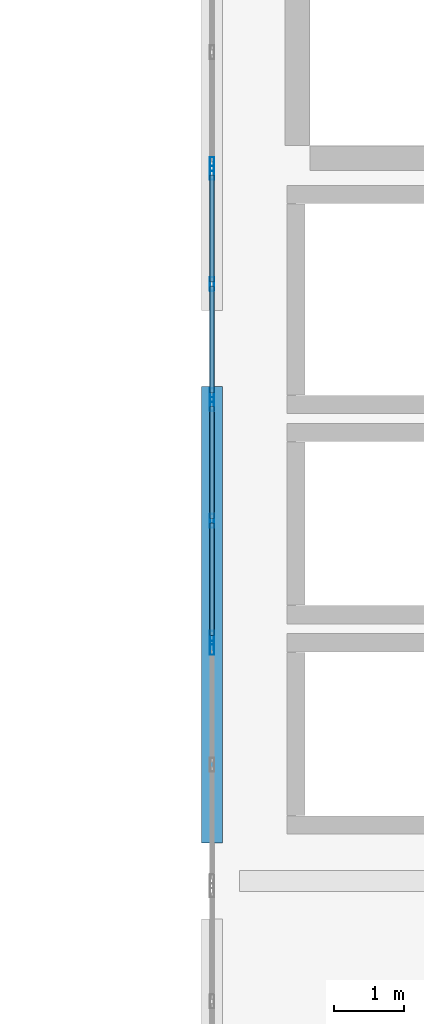
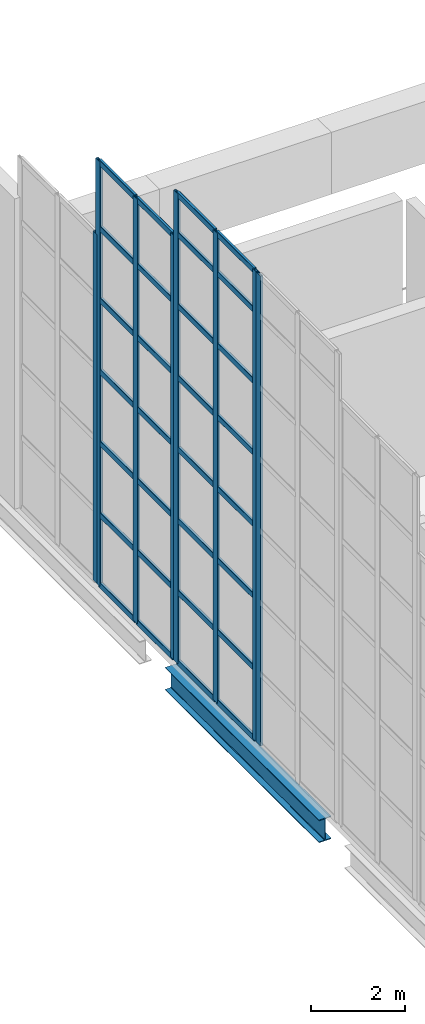
# One storey, part 14 of 37: 38 members, 1 beam, 4 elements without a shape of their own.
"""IFC4 building model written with IfcOpenShell, lengths in metres."""

from ifc_helpers import new_model, si_unit, direction, frame, origin, origin_2d, place, context, subcontext, project, spatial, hollow_rectangle, i_section, extrude, material, material_profile, profile_set, type_object, element, aggregate, save


model = new_model("IFC4")

# Units and contexts
model_context = context("Model", 3, precision=1e-05, world=origin(), true_north=direction((0.0, 1.0)))
body_context = subcontext(model_context, "Body", "Model", "MODEL_VIEW")
ifc_project = project(units=[si_unit("LENGTHUNIT", "METRE"), si_unit("AREAUNIT", "SQUARE_METRE"), si_unit("VOLUMEUNIT", "CUBIC_METRE"), si_unit("PLANEANGLEUNIT", "RADIAN"), si_unit("MASSUNIT", "GRAM", prefix="KILO")], contexts=[model_context])

# Site, building, storey
site_placement = place(None, origin())
site = spatial("IfcSite", under=ifc_project, at=site_placement, CompositionType="ELEMENT")
building_placement = place(site_placement, origin())
building = spatial("IfcBuilding", under=site, at=building_placement, Name="Shengluoqiao Park Theatre", CompositionType="ELEMENT")
storey_placement = place(building_placement, frame((0.0, 0.0, 19.199951171875)))
storey = spatial("IfcBuildingStorey", under=building, at=storey_placement, Name="L04", CompositionType="ELEMENT", Elevation=19.199951171875)

# Curtain wall, member
ifc_material_1 = material(Name="Aluminium 6063-T6", Category="aluminium")
curtain_wall_type = type_object("IfcCurtainWallType", Name="ENV-CW-CLERE", PredefinedType="NOTDEFINED", material=ifc_material_1)
curtain_wall_1_placement = place(storey_placement, origin())
curtain_wall_1 = element("IfcCurtainWall", 1, at=curtain_wall_1_placement, inside=storey, type_object=curtain_wall_type, Name="L04 Curtain Wall CW-L04-GABLE-0224", PredefinedType="NOTDEFINED")
ifc_material_profile_1 = material_profile(ifc_material_1, hollow_rectangle(XDim=0.06494140625, YDim=0.199951171875, WallThickness=0.0048828125, InnerFilletRadius=0.0048828125, OuterFilletRadius=0.010009765625, at=origin_2d()), Name="ALU MULLION 200x65x5")
ifc_profile_set_1 = profile_set([ifc_material_profile_1], Name="Aluminium 6063-T6")
member_type_1 = type_object("IfcMemberType", Name="ENV-MUL-200", PredefinedType="MULLION", material=ifc_profile_set_1)
member_1_placement = place(storey_placement, frame((44.39990234375, 94.927490234375, 0.0), z_axis=(0.0, 0.0, 1.0), x_axis=(-1.0, 0.0, 0.0)))
member_1 = element("IfcMember", 2, at=member_1_placement, type_object=member_type_1, Name="CW-06 mullion 3", PredefinedType="MULLION", context=body_context, shape_type="SweptSolid", body=[
    extrude(hollow_rectangle(XDim=0.06494140625, YDim=0.199951171875, WallThickness=0.0048828125, InnerFilletRadius=0.0048828125, OuterFilletRadius=0.010009765625, at=origin_2d()), origin(), (0.0, 0.0, 1.0), 12.14697265625),
])
aggregate(curtain_wall_1, [member_1])

# Curtain wall, members
curtain_wall_2_placement = place(storey_placement, origin())
curtain_wall_2 = element("IfcCurtainWall", 3, at=curtain_wall_2_placement, inside=storey, type_object=curtain_wall_type, Name="L04 Curtain Wall CW-L04-GABLE-0225", PredefinedType="NOTDEFINED")
member_2_placement = place(storey_placement, frame((44.39990234375, 95.072509765625, 0.0), z_axis=(0.0, 0.0, 1.0), x_axis=(-1.0, 0.0, 0.0)))
member_2 = element("IfcMember", 4, at=member_2_placement, type_object=member_type_1, Name="CW-06 mullion 1", PredefinedType="MULLION", context=body_context, shape_type="SweptSolid", body=[
    extrude(hollow_rectangle(XDim=0.06494140625, YDim=0.199951171875, WallThickness=0.0048828125, InnerFilletRadius=0.0048828125, OuterFilletRadius=0.010009765625, at=origin_2d()), origin(), (0.0, 0.0, 1.0), 12.14697265625),
])
member_3_placement = place(storey_placement, frame((44.39990234375, 96.739990234375, 0.0), z_axis=(0.0, 0.0, 1.0), x_axis=(-1.0, 0.0, 0.0)))
member_3 = element("IfcMember", 5, at=member_3_placement, type_object=member_type_1, Name="CW-06 mullion 2", PredefinedType="MULLION", context=body_context, shape_type="SweptSolid", body=[
    extrude(hollow_rectangle(XDim=0.06494140625, YDim=0.199951171875, WallThickness=0.0048828125, InnerFilletRadius=0.0048828125, OuterFilletRadius=0.010009765625, at=origin_2d()), origin(), (0.0, 0.0, 1.0), 12.14697265625),
])
member_4_placement = place(storey_placement, frame((44.39990234375, 98.407470703125, 0.0), z_axis=(0.0, 0.0, 1.0), x_axis=(-1.0, 0.0, 0.0)))
member_4 = element("IfcMember", 6, at=member_4_placement, type_object=member_type_1, Name="CW-06 mullion 3", PredefinedType="MULLION", context=body_context, shape_type="SweptSolid", body=[
    extrude(hollow_rectangle(XDim=0.06494140625, YDim=0.199951171875, WallThickness=0.0048828125, InnerFilletRadius=0.0048828125, OuterFilletRadius=0.010009765625, at=origin_2d()), origin(), (0.0, 0.0, 1.0), 12.14697265625),
])

curtain_wall_3_placement = place(storey_placement, origin())
curtain_wall_3 = element("IfcCurtainWall", 7, at=curtain_wall_3_placement, inside=storey, type_object=curtain_wall_type, Name="L04 Curtain Wall CW-L04-GABLE-0226", PredefinedType="NOTDEFINED")
member_5_placement = place(storey_placement, frame((44.39990234375, 98.532470703125, 0.0), z_axis=(0.0, 0.0, 1.0), x_axis=(-1.0, 0.0, 0.0)))
member_5 = element("IfcMember", 8, at=member_5_placement, type_object=member_type_1, Name="CW-06 mullion 1", PredefinedType="MULLION", context=body_context, shape_type="SweptSolid", body=[
    extrude(hollow_rectangle(XDim=0.06494140625, YDim=0.199951171875, WallThickness=0.0048828125, InnerFilletRadius=0.0048828125, OuterFilletRadius=0.010009765625, at=origin_2d()), origin(), (0.0, 0.0, 1.0), 10.974365234375),
])
member_6_placement = place(storey_placement, frame((44.39990234375, 100.1201171875, 0.0), z_axis=(0.0, 0.0, 1.0), x_axis=(-1.0, 0.0, 0.0)))
member_6 = element("IfcMember", 9, at=member_6_placement, type_object=member_type_1, Name="CW-06 mullion 2", PredefinedType="MULLION", context=body_context, shape_type="SweptSolid", body=[
    extrude(hollow_rectangle(XDim=0.06494140625, YDim=0.199951171875, WallThickness=0.0048828125, InnerFilletRadius=0.0048828125, OuterFilletRadius=0.010009765625, at=origin_2d()), origin(), (0.0, 0.0, 1.0), 10.974365234375),
])
member_7_placement = place(storey_placement, frame((44.39990234375, 101.70751953125, 0.0), z_axis=(0.0, 0.0, 1.0), x_axis=(-1.0, 0.0, 0.0)))
member_7 = element("IfcMember", 10, at=member_7_placement, type_object=member_type_1, Name="CW-06 mullion 3", PredefinedType="MULLION", context=body_context, shape_type="SweptSolid", body=[
    extrude(hollow_rectangle(XDim=0.06494140625, YDim=0.199951171875, WallThickness=0.0048828125, InnerFilletRadius=0.0048828125, OuterFilletRadius=0.010009765625, at=origin_2d()), origin(), (0.0, 0.0, 1.0), 10.974365234375),
])

# Curtain wall, member
curtain_wall_4_placement = place(storey_placement, origin())
curtain_wall_4 = element("IfcCurtainWall", 11, at=curtain_wall_4_placement, inside=storey, type_object=curtain_wall_type, Name="L04 Curtain Wall CW-L04-GABLE-0227", PredefinedType="NOTDEFINED")
member_8_placement = place(storey_placement, frame((44.39990234375, 101.83251953125, 0.0), z_axis=(0.0, 0.0, 1.0), x_axis=(-1.0, 0.0, 0.0)))
member_8 = element("IfcMember", 12, at=member_8_placement, type_object=member_type_1, Name="CW-06 mullion 1", PredefinedType="MULLION", context=body_context, shape_type="SweptSolid", body=[
    extrude(hollow_rectangle(XDim=0.06494140625, YDim=0.199951171875, WallThickness=0.0048828125, InnerFilletRadius=0.0048828125, OuterFilletRadius=0.010009765625, at=origin_2d()), origin(), (0.0, 0.0, 1.0), 9.02783203125),
])
aggregate(curtain_wall_4, [member_8])

# Member
ifc_material_profile_2 = material_profile(ifc_material_1, hollow_rectangle(XDim=0.06494140625, YDim=0.14990234375, WallThickness=0.00390625, InnerFilletRadius=0.00390625, OuterFilletRadius=0.008056640625, at=origin_2d()), Name="ALU TRANSOM 150x65x4")
ifc_profile_set_2 = profile_set([ifc_material_profile_2], Name="Aluminium 6063-T6")
member_type_2 = type_object("IfcMemberType", Name="ENV-TRN-150", PredefinedType="USERDEFINED", material=ifc_profile_set_2)
member_9_placement = place(storey_placement, frame((44.39990234375, 95.10498046875, 0.032470703125), z_axis=(0.0, 1.0, 0.0), x_axis=(-1.0, 0.0, 0.0)))
member_9 = element("IfcMember", 13, at=member_9_placement, type_object=member_type_2, Name="CW-06 transom 1.1", ObjectType="TRANSOM", PredefinedType="USERDEFINED", context=body_context, shape_type="SweptSolid", body=[
    extrude(hollow_rectangle(XDim=0.06494140625, YDim=0.14990234375, WallThickness=0.00390625, InnerFilletRadius=0.00390625, OuterFilletRadius=0.008056640625, at=origin_2d()), origin(), (0.0, 0.0, 1.0), 1.6025390625),
])

member_10_placement = place(storey_placement, frame((44.39990234375, 95.10498046875, 1.85009765625), z_axis=(0.0, 1.0, 0.0), x_axis=(-1.0, 0.0, 0.0)))
member_10 = element("IfcMember", 14, at=member_10_placement, type_object=member_type_2, Name="CW-06 transom 1.2", ObjectType="TRANSOM", PredefinedType="USERDEFINED", context=body_context, shape_type="SweptSolid", body=[
    extrude(hollow_rectangle(XDim=0.06494140625, YDim=0.14990234375, WallThickness=0.00390625, InnerFilletRadius=0.00390625, OuterFilletRadius=0.008056640625, at=origin_2d()), origin(), (0.0, 0.0, 1.0), 1.6025390625),
])

member_11_placement = place(storey_placement, frame((44.39990234375, 95.10498046875, 3.699951171875), z_axis=(0.0, 1.0, 0.0), x_axis=(-1.0, 0.0, 0.0)))
member_11 = element("IfcMember", 15, at=member_11_placement, type_object=member_type_2, Name="CW-06 transom 1.3", ObjectType="TRANSOM", PredefinedType="USERDEFINED", context=body_context, shape_type="SweptSolid", body=[
    extrude(hollow_rectangle(XDim=0.06494140625, YDim=0.14990234375, WallThickness=0.00390625, InnerFilletRadius=0.00390625, OuterFilletRadius=0.008056640625, at=origin_2d()), origin(), (0.0, 0.0, 1.0), 1.6025390625),
])

member_12_placement = place(storey_placement, frame((44.39990234375, 95.10498046875, 5.550048828125), z_axis=(0.0, 1.0, 0.0), x_axis=(-1.0, 0.0, 0.0)))
member_12 = element("IfcMember", 16, at=member_12_placement, type_object=member_type_2, Name="CW-06 transom 1.4", ObjectType="TRANSOM", PredefinedType="USERDEFINED", context=body_context, shape_type="SweptSolid", body=[
    extrude(hollow_rectangle(XDim=0.06494140625, YDim=0.14990234375, WallThickness=0.00390625, InnerFilletRadius=0.00390625, OuterFilletRadius=0.008056640625, at=origin_2d()), origin(), (0.0, 0.0, 1.0), 1.6025390625),
])

member_13_placement = place(storey_placement, frame((44.39990234375, 95.10498046875, 7.400146484375), z_axis=(0.0, 1.0, 0.0), x_axis=(-1.0, 0.0, 0.0)))
member_13 = element("IfcMember", 17, at=member_13_placement, type_object=member_type_2, Name="CW-06 transom 1.5", ObjectType="TRANSOM", PredefinedType="USERDEFINED", context=body_context, shape_type="SweptSolid", body=[
    extrude(hollow_rectangle(XDim=0.06494140625, YDim=0.14990234375, WallThickness=0.00390625, InnerFilletRadius=0.00390625, OuterFilletRadius=0.008056640625, at=origin_2d()), origin(), (0.0, 0.0, 1.0), 1.6025390625),
])

member_14_placement = place(storey_placement, frame((44.39990234375, 95.10498046875, 9.25), z_axis=(0.0, 1.0, 0.0), x_axis=(-1.0, 0.0, 0.0)))
member_14 = element("IfcMember", 18, at=member_14_placement, type_object=member_type_2, Name="CW-06 transom 1.6", ObjectType="TRANSOM", PredefinedType="USERDEFINED", context=body_context, shape_type="SweptSolid", body=[
    extrude(hollow_rectangle(XDim=0.06494140625, YDim=0.14990234375, WallThickness=0.00390625, InnerFilletRadius=0.00390625, OuterFilletRadius=0.008056640625, at=origin_2d()), origin(), (0.0, 0.0, 1.0), 1.6025390625),
])

member_15_placement = place(storey_placement, frame((44.39990234375, 95.10498046875, 11.10009765625), z_axis=(0.0, 1.0, 0.0), x_axis=(-1.0, 0.0, 0.0)))
member_15 = element("IfcMember", 19, at=member_15_placement, type_object=member_type_2, Name="CW-06 transom 1.7", ObjectType="TRANSOM", PredefinedType="USERDEFINED", context=body_context, shape_type="SweptSolid", body=[
    extrude(hollow_rectangle(XDim=0.06494140625, YDim=0.14990234375, WallThickness=0.00390625, InnerFilletRadius=0.00390625, OuterFilletRadius=0.008056640625, at=origin_2d()), origin(), (0.0, 0.0, 1.0), 1.6025390625),
])

member_16_placement = place(storey_placement, frame((44.39990234375, 95.10498046875, 12.114501953125), z_axis=(0.0, 1.0, 0.0), x_axis=(-1.0, 0.0, 0.0)))
member_16 = element("IfcMember", 20, at=member_16_placement, type_object=member_type_2, Name="CW-06 transom 1.8", ObjectType="TRANSOM", PredefinedType="USERDEFINED", context=body_context, shape_type="SweptSolid", body=[
    extrude(hollow_rectangle(XDim=0.06494140625, YDim=0.14990234375, WallThickness=0.00390625, InnerFilletRadius=0.00390625, OuterFilletRadius=0.008056640625, at=origin_2d()), origin(), (0.0, 0.0, 1.0), 1.6025390625),
])

member_17_placement = place(storey_placement, frame((44.39990234375, 96.7724609375, 0.032470703125), z_axis=(0.0, 1.0, 0.0), x_axis=(-1.0, 0.0, 0.0)))
member_17 = element("IfcMember", 21, at=member_17_placement, type_object=member_type_2, Name="CW-06 transom 2.1", ObjectType="TRANSOM", PredefinedType="USERDEFINED", context=body_context, shape_type="SweptSolid", body=[
    extrude(hollow_rectangle(XDim=0.06494140625, YDim=0.14990234375, WallThickness=0.00390625, InnerFilletRadius=0.00390625, OuterFilletRadius=0.008056640625, at=origin_2d()), origin(), (0.0, 0.0, 1.0), 1.6025390625),
])

member_18_placement = place(storey_placement, frame((44.39990234375, 96.7724609375, 1.85009765625), z_axis=(0.0, 1.0, 0.0), x_axis=(-1.0, 0.0, 0.0)))
member_18 = element("IfcMember", 22, at=member_18_placement, type_object=member_type_2, Name="CW-06 transom 2.2", ObjectType="TRANSOM", PredefinedType="USERDEFINED", context=body_context, shape_type="SweptSolid", body=[
    extrude(hollow_rectangle(XDim=0.06494140625, YDim=0.14990234375, WallThickness=0.00390625, InnerFilletRadius=0.00390625, OuterFilletRadius=0.008056640625, at=origin_2d()), origin(), (0.0, 0.0, 1.0), 1.6025390625),
])

member_19_placement = place(storey_placement, frame((44.39990234375, 96.7724609375, 3.699951171875), z_axis=(0.0, 1.0, 0.0), x_axis=(-1.0, 0.0, 0.0)))
member_19 = element("IfcMember", 23, at=member_19_placement, type_object=member_type_2, Name="CW-06 transom 2.3", ObjectType="TRANSOM", PredefinedType="USERDEFINED", context=body_context, shape_type="SweptSolid", body=[
    extrude(hollow_rectangle(XDim=0.06494140625, YDim=0.14990234375, WallThickness=0.00390625, InnerFilletRadius=0.00390625, OuterFilletRadius=0.008056640625, at=origin_2d()), origin(), (0.0, 0.0, 1.0), 1.6025390625),
])

member_20_placement = place(storey_placement, frame((44.39990234375, 96.7724609375, 5.550048828125), z_axis=(0.0, 1.0, 0.0), x_axis=(-1.0, 0.0, 0.0)))
member_20 = element("IfcMember", 24, at=member_20_placement, type_object=member_type_2, Name="CW-06 transom 2.4", ObjectType="TRANSOM", PredefinedType="USERDEFINED", context=body_context, shape_type="SweptSolid", body=[
    extrude(hollow_rectangle(XDim=0.06494140625, YDim=0.14990234375, WallThickness=0.00390625, InnerFilletRadius=0.00390625, OuterFilletRadius=0.008056640625, at=origin_2d()), origin(), (0.0, 0.0, 1.0), 1.6025390625),
])

member_21_placement = place(storey_placement, frame((44.39990234375, 96.7724609375, 7.400146484375), z_axis=(0.0, 1.0, 0.0), x_axis=(-1.0, 0.0, 0.0)))
member_21 = element("IfcMember", 25, at=member_21_placement, type_object=member_type_2, Name="CW-06 transom 2.5", ObjectType="TRANSOM", PredefinedType="USERDEFINED", context=body_context, shape_type="SweptSolid", body=[
    extrude(hollow_rectangle(XDim=0.06494140625, YDim=0.14990234375, WallThickness=0.00390625, InnerFilletRadius=0.00390625, OuterFilletRadius=0.008056640625, at=origin_2d()), origin(), (0.0, 0.0, 1.0), 1.6025390625),
])

member_22_placement = place(storey_placement, frame((44.39990234375, 96.7724609375, 9.25), z_axis=(0.0, 1.0, 0.0), x_axis=(-1.0, 0.0, 0.0)))
member_22 = element("IfcMember", 26, at=member_22_placement, type_object=member_type_2, Name="CW-06 transom 2.6", ObjectType="TRANSOM", PredefinedType="USERDEFINED", context=body_context, shape_type="SweptSolid", body=[
    extrude(hollow_rectangle(XDim=0.06494140625, YDim=0.14990234375, WallThickness=0.00390625, InnerFilletRadius=0.00390625, OuterFilletRadius=0.008056640625, at=origin_2d()), origin(), (0.0, 0.0, 1.0), 1.6025390625),
])

member_23_placement = place(storey_placement, frame((44.39990234375, 96.7724609375, 11.10009765625), z_axis=(0.0, 1.0, 0.0), x_axis=(-1.0, 0.0, 0.0)))
member_23 = element("IfcMember", 27, at=member_23_placement, type_object=member_type_2, Name="CW-06 transom 2.7", ObjectType="TRANSOM", PredefinedType="USERDEFINED", context=body_context, shape_type="SweptSolid", body=[
    extrude(hollow_rectangle(XDim=0.06494140625, YDim=0.14990234375, WallThickness=0.00390625, InnerFilletRadius=0.00390625, OuterFilletRadius=0.008056640625, at=origin_2d()), origin(), (0.0, 0.0, 1.0), 1.6025390625),
])

member_24_placement = place(storey_placement, frame((44.39990234375, 96.7724609375, 12.114501953125), z_axis=(0.0, 1.0, 0.0), x_axis=(-1.0, 0.0, 0.0)))
member_24 = element("IfcMember", 28, at=member_24_placement, type_object=member_type_2, Name="CW-06 transom 2.8", ObjectType="TRANSOM", PredefinedType="USERDEFINED", context=body_context, shape_type="SweptSolid", body=[
    extrude(hollow_rectangle(XDim=0.06494140625, YDim=0.14990234375, WallThickness=0.00390625, InnerFilletRadius=0.00390625, OuterFilletRadius=0.008056640625, at=origin_2d()), origin(), (0.0, 0.0, 1.0), 1.6025390625),
])

aggregate(curtain_wall_2, [member_2, member_3, member_4, member_9, member_10, member_11, member_12, member_13, member_14, member_15, member_16, member_17, member_18, member_19, member_20, member_21, member_22, member_23, member_24])

member_25_placement = place(storey_placement, frame((44.39990234375, 98.56494140625, 0.032470703125), z_axis=(0.0, 1.0, 0.0), x_axis=(-1.0, 0.0, 0.0)))
member_25 = element("IfcMember", 29, at=member_25_placement, type_object=member_type_2, Name="CW-06 transom 1.1", ObjectType="TRANSOM", PredefinedType="USERDEFINED", context=body_context, shape_type="SweptSolid", body=[
    extrude(hollow_rectangle(XDim=0.06494140625, YDim=0.14990234375, WallThickness=0.00390625, InnerFilletRadius=0.00390625, OuterFilletRadius=0.008056640625, at=origin_2d()), origin(), (0.0, 0.0, 1.0), 1.5224609375),
])

member_26_placement = place(storey_placement, frame((44.39990234375, 98.56494140625, 1.85009765625), z_axis=(0.0, 1.0, 0.0), x_axis=(-1.0, 0.0, 0.0)))
member_26 = element("IfcMember", 30, at=member_26_placement, type_object=member_type_2, Name="CW-06 transom 1.2", ObjectType="TRANSOM", PredefinedType="USERDEFINED", context=body_context, shape_type="SweptSolid", body=[
    extrude(hollow_rectangle(XDim=0.06494140625, YDim=0.14990234375, WallThickness=0.00390625, InnerFilletRadius=0.00390625, OuterFilletRadius=0.008056640625, at=origin_2d()), origin(), (0.0, 0.0, 1.0), 1.5224609375),
])

member_27_placement = place(storey_placement, frame((44.39990234375, 98.56494140625, 3.699951171875), z_axis=(0.0, 1.0, 0.0), x_axis=(-1.0, 0.0, 0.0)))
member_27 = element("IfcMember", 31, at=member_27_placement, type_object=member_type_2, Name="CW-06 transom 1.3", ObjectType="TRANSOM", PredefinedType="USERDEFINED", context=body_context, shape_type="SweptSolid", body=[
    extrude(hollow_rectangle(XDim=0.06494140625, YDim=0.14990234375, WallThickness=0.00390625, InnerFilletRadius=0.00390625, OuterFilletRadius=0.008056640625, at=origin_2d()), origin(), (0.0, 0.0, 1.0), 1.5224609375),
])

member_28_placement = place(storey_placement, frame((44.39990234375, 98.56494140625, 5.550048828125), z_axis=(0.0, 1.0, 0.0), x_axis=(-1.0, 0.0, 0.0)))
member_28 = element("IfcMember", 32, at=member_28_placement, type_object=member_type_2, Name="CW-06 transom 1.4", ObjectType="TRANSOM", PredefinedType="USERDEFINED", context=body_context, shape_type="SweptSolid", body=[
    extrude(hollow_rectangle(XDim=0.06494140625, YDim=0.14990234375, WallThickness=0.00390625, InnerFilletRadius=0.00390625, OuterFilletRadius=0.008056640625, at=origin_2d()), origin(), (0.0, 0.0, 1.0), 1.5224609375),
])

member_29_placement = place(storey_placement, frame((44.39990234375, 98.56494140625, 7.400146484375), z_axis=(0.0, 1.0, 0.0), x_axis=(-1.0, 0.0, 0.0)))
member_29 = element("IfcMember", 33, at=member_29_placement, type_object=member_type_2, Name="CW-06 transom 1.5", ObjectType="TRANSOM", PredefinedType="USERDEFINED", context=body_context, shape_type="SweptSolid", body=[
    extrude(hollow_rectangle(XDim=0.06494140625, YDim=0.14990234375, WallThickness=0.00390625, InnerFilletRadius=0.00390625, OuterFilletRadius=0.008056640625, at=origin_2d()), origin(), (0.0, 0.0, 1.0), 1.5224609375),
])

member_30_placement = place(storey_placement, frame((44.39990234375, 98.56494140625, 9.25), z_axis=(0.0, 1.0, 0.0), x_axis=(-1.0, 0.0, 0.0)))
member_30 = element("IfcMember", 34, at=member_30_placement, type_object=member_type_2, Name="CW-06 transom 1.6", ObjectType="TRANSOM", PredefinedType="USERDEFINED", context=body_context, shape_type="SweptSolid", body=[
    extrude(hollow_rectangle(XDim=0.06494140625, YDim=0.14990234375, WallThickness=0.00390625, InnerFilletRadius=0.00390625, OuterFilletRadius=0.008056640625, at=origin_2d()), origin(), (0.0, 0.0, 1.0), 1.5224609375),
])

member_31_placement = place(storey_placement, frame((44.39990234375, 98.56494140625, 10.94189453125), z_axis=(0.0, 1.0, 0.0), x_axis=(-1.0, 0.0, 0.0)))
member_31 = element("IfcMember", 35, at=member_31_placement, type_object=member_type_2, Name="CW-06 transom 1.7", ObjectType="TRANSOM", PredefinedType="USERDEFINED", context=body_context, shape_type="SweptSolid", body=[
    extrude(hollow_rectangle(XDim=0.06494140625, YDim=0.14990234375, WallThickness=0.00390625, InnerFilletRadius=0.00390625, OuterFilletRadius=0.008056640625, at=origin_2d()), origin(), (0.0, 0.0, 1.0), 1.5224609375),
])

member_32_placement = place(storey_placement, frame((44.39990234375, 100.152587890625, 0.032470703125), z_axis=(0.0, 1.0, 0.0), x_axis=(-1.0, 0.0, 0.0)))
member_32 = element("IfcMember", 36, at=member_32_placement, type_object=member_type_2, Name="CW-06 transom 2.1", ObjectType="TRANSOM", PredefinedType="USERDEFINED", context=body_context, shape_type="SweptSolid", body=[
    extrude(hollow_rectangle(XDim=0.06494140625, YDim=0.14990234375, WallThickness=0.00390625, InnerFilletRadius=0.00390625, OuterFilletRadius=0.008056640625, at=origin_2d()), origin(), (0.0, 0.0, 1.0), 1.5224609375),
])

member_33_placement = place(storey_placement, frame((44.39990234375, 100.152587890625, 1.85009765625), z_axis=(0.0, 1.0, 0.0), x_axis=(-1.0, 0.0, 0.0)))
member_33 = element("IfcMember", 37, at=member_33_placement, type_object=member_type_2, Name="CW-06 transom 2.2", ObjectType="TRANSOM", PredefinedType="USERDEFINED", context=body_context, shape_type="SweptSolid", body=[
    extrude(hollow_rectangle(XDim=0.06494140625, YDim=0.14990234375, WallThickness=0.00390625, InnerFilletRadius=0.00390625, OuterFilletRadius=0.008056640625, at=origin_2d()), origin(), (0.0, 0.0, 1.0), 1.5224609375),
])

member_34_placement = place(storey_placement, frame((44.39990234375, 100.152587890625, 3.699951171875), z_axis=(0.0, 1.0, 0.0), x_axis=(-1.0, 0.0, 0.0)))
member_34 = element("IfcMember", 38, at=member_34_placement, type_object=member_type_2, Name="CW-06 transom 2.3", ObjectType="TRANSOM", PredefinedType="USERDEFINED", context=body_context, shape_type="SweptSolid", body=[
    extrude(hollow_rectangle(XDim=0.06494140625, YDim=0.14990234375, WallThickness=0.00390625, InnerFilletRadius=0.00390625, OuterFilletRadius=0.008056640625, at=origin_2d()), origin(), (0.0, 0.0, 1.0), 1.5224609375),
])

member_35_placement = place(storey_placement, frame((44.39990234375, 100.152587890625, 5.550048828125), z_axis=(0.0, 1.0, 0.0), x_axis=(-1.0, 0.0, 0.0)))
member_35 = element("IfcMember", 39, at=member_35_placement, type_object=member_type_2, Name="CW-06 transom 2.4", ObjectType="TRANSOM", PredefinedType="USERDEFINED", context=body_context, shape_type="SweptSolid", body=[
    extrude(hollow_rectangle(XDim=0.06494140625, YDim=0.14990234375, WallThickness=0.00390625, InnerFilletRadius=0.00390625, OuterFilletRadius=0.008056640625, at=origin_2d()), origin(), (0.0, 0.0, 1.0), 1.5224609375),
])

member_36_placement = place(storey_placement, frame((44.39990234375, 100.152587890625, 7.400146484375), z_axis=(0.0, 1.0, 0.0), x_axis=(-1.0, 0.0, 0.0)))
member_36 = element("IfcMember", 40, at=member_36_placement, type_object=member_type_2, Name="CW-06 transom 2.5", ObjectType="TRANSOM", PredefinedType="USERDEFINED", context=body_context, shape_type="SweptSolid", body=[
    extrude(hollow_rectangle(XDim=0.06494140625, YDim=0.14990234375, WallThickness=0.00390625, InnerFilletRadius=0.00390625, OuterFilletRadius=0.008056640625, at=origin_2d()), origin(), (0.0, 0.0, 1.0), 1.5224609375),
])

member_37_placement = place(storey_placement, frame((44.39990234375, 100.152587890625, 9.25), z_axis=(0.0, 1.0, 0.0), x_axis=(-1.0, 0.0, 0.0)))
member_37 = element("IfcMember", 41, at=member_37_placement, type_object=member_type_2, Name="CW-06 transom 2.6", ObjectType="TRANSOM", PredefinedType="USERDEFINED", context=body_context, shape_type="SweptSolid", body=[
    extrude(hollow_rectangle(XDim=0.06494140625, YDim=0.14990234375, WallThickness=0.00390625, InnerFilletRadius=0.00390625, OuterFilletRadius=0.008056640625, at=origin_2d()), origin(), (0.0, 0.0, 1.0), 1.5224609375),
])

member_38_placement = place(storey_placement, frame((44.39990234375, 100.152587890625, 10.94189453125), z_axis=(0.0, 1.0, 0.0), x_axis=(-1.0, 0.0, 0.0)))
member_38 = element("IfcMember", 42, at=member_38_placement, type_object=member_type_2, Name="CW-06 transom 2.7", ObjectType="TRANSOM", PredefinedType="USERDEFINED", context=body_context, shape_type="SweptSolid", body=[
    extrude(hollow_rectangle(XDim=0.06494140625, YDim=0.14990234375, WallThickness=0.00390625, InnerFilletRadius=0.00390625, OuterFilletRadius=0.008056640625, at=origin_2d()), origin(), (0.0, 0.0, 1.0), 1.5224609375),
])

aggregate(curtain_wall_3, [member_5, member_6, member_7, member_25, member_26, member_27, member_28, member_29, member_30, member_31, member_32, member_33, member_34, member_35, member_36, member_37, member_38])

# Beam
ifc_material_2 = material(Name="Steel Q355", Category="steel")
ifc_material_profile_3 = material_profile(ifc_material_2, i_section(OverallWidth=0.300048828125, OverallDepth=0.587890625, WebThickness=0.011962890625, FlangeThickness=0.02001953125, FilletRadius=0.02392578125, at=origin_2d()), Name="HM 588x300x12x20")
ifc_profile_set_3 = profile_set([ifc_material_profile_3], Name="Steel Q355")
beam_type = type_object("IfcBeamType", Name="STR-BM-G-HM588", PredefinedType="BEAM", material=ifc_profile_set_3)
beam_placement = place(storey_placement, frame((44.39990234375, 92.14404296875, -0.533935546875), z_axis=(0.0, 1.0, 0.0), x_axis=(-1.0, 0.0, 0.0)))
element("IfcBeam", 43, at=beam_placement, inside=storey, type_object=beam_type, Name="L04 Transverse Girder 01497", PredefinedType="BEAM", context=body_context, shape_type="SweptSolid", body=[
    extrude(i_section(OverallWidth=0.300048828125, OverallDepth=0.587890625, WebThickness=0.011962890625, FlangeThickness=0.02001953125, FilletRadius=0.02392578125, at=origin_2d()), origin(), (0.0, 0.0, 1.0), 6.511962890625),
])

save(model, "model.ifc")
